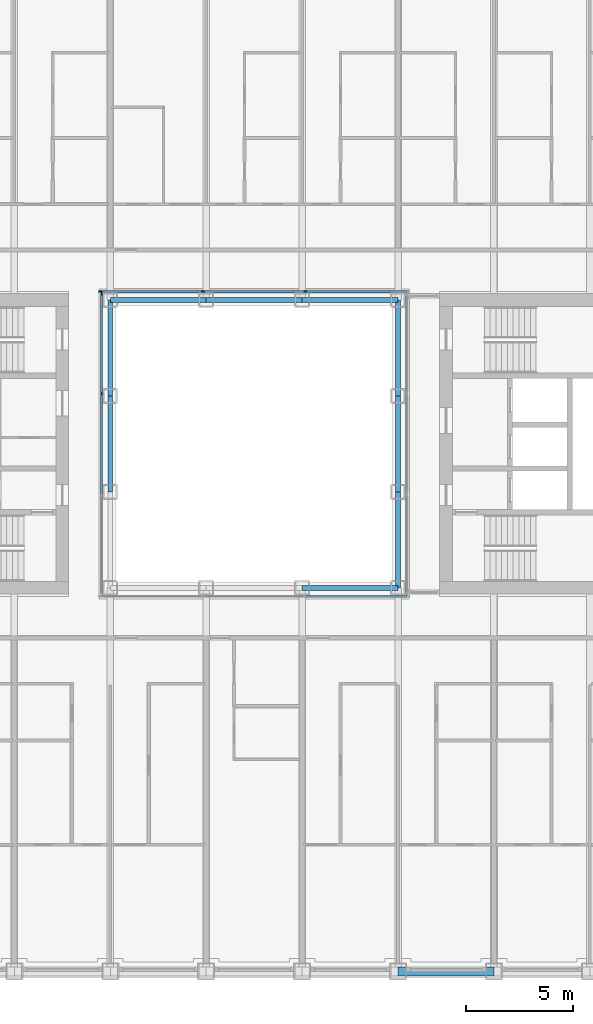
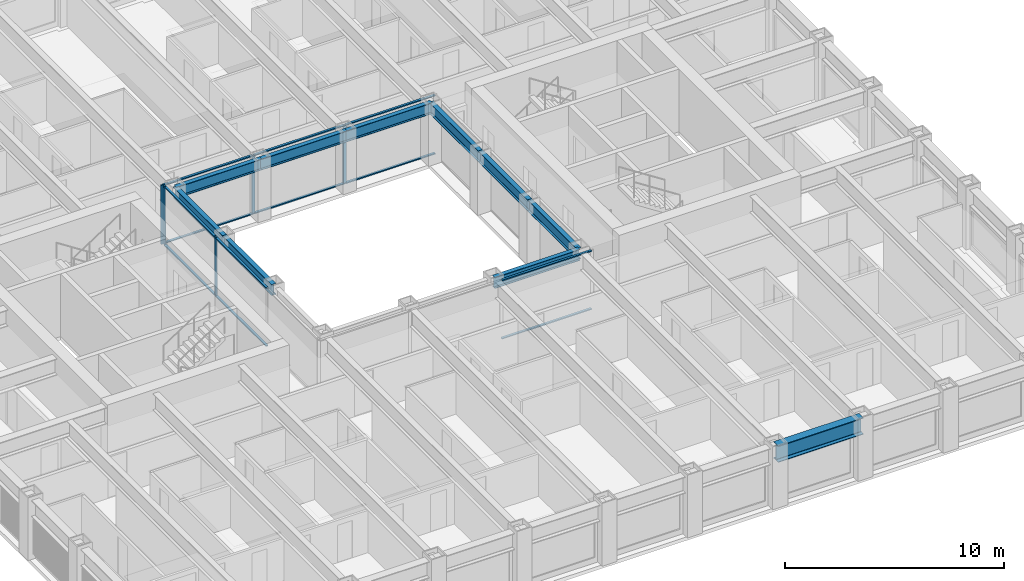
# One storey, part 4 of 21: 17 members, 10 beams, 3 elements without a shape of their own.
"""IFC4 building model written with IfcOpenShell, lengths in metres."""

from ifc_helpers import new_model, si_unit, direction, frame, origin, origin_2d, place, context, subcontext, project, spatial, rectangle, i_section, extrude, material, material_profile, profile_set, type_object, element, aggregate, save


model = new_model("IFC4")

# Units and contexts
model_context = context("Model", 3, precision=1e-05, world=origin(), true_north=direction((0.0, 1.0)))
body_context = subcontext(model_context, "Body", "Model", "MODEL_VIEW")
ifc_project = project(units=[si_unit("LENGTHUNIT", "METRE"), si_unit("AREAUNIT", "SQUARE_METRE"), si_unit("VOLUMEUNIT", "CUBIC_METRE"), si_unit("PLANEANGLEUNIT", "RADIAN"), si_unit("MASSUNIT", "GRAM", prefix="KILO")], contexts=[model_context])

# Site, building, storey
site_placement = place(None, origin())
site = spatial("IfcSite", under=ifc_project, at=site_placement, CompositionType="ELEMENT")
building_placement = place(site_placement, origin())
building = spatial("IfcBuilding", under=site, at=building_placement, Name="Msasa Ring Tower", CompositionType="ELEMENT")
storey_placement = place(building_placement, frame((0.0, 0.0, 68.5)))
storey = spatial("IfcBuildingStorey", under=building, at=storey_placement, Name="L17", CompositionType="ELEMENT", Elevation=68.5)

# Curtain wall, members
ifc_material_1 = material(Name="Aluminium curtain wall with clear glass", Category="aluminium")
curtain_wall_type = type_object("IfcCurtainWallType", Name="CW-W LIGHT WELL CURTAIN WALL", PredefinedType="NOTDEFINED", material=ifc_material_1)
curtain_wall_1_placement = place(storey_placement, origin())
curtain_wall_1 = element("IfcCurtainWall", 1, at=curtain_wall_1_placement, inside=storey, type_object=curtain_wall_type, Name="Light well curtain wall N L17", PredefinedType="NOTDEFINED")
ifc_material_2 = material(Name="Aluminium mullion", Category="aluminium")
ifc_material_profile_1 = material_profile(ifc_material_2, rectangle(XDim=0.06005859375, YDim=0.159912109375, at=origin_2d()), Name="AL 60x160")
ifc_profile_set_1 = profile_set([ifc_material_profile_1], Name="Aluminium mullion")
member_type_1 = type_object("IfcMemberType", Name="CW-W MULLION 60x160", PredefinedType="MULLION", material=ifc_profile_set_1)
member_1_placement = place(storey_placement, frame((-7.199951171875, 7.14990234375, 0.0), z_axis=(0.0, 0.0, 1.0), x_axis=(0.0, 1.0, 0.0)))
member_1 = element("IfcMember", 2, at=member_1_placement, type_object=member_type_1, Name="CW-W mullion 1", PredefinedType="MULLION", context=body_context, shape_type="SweptSolid", body=[
    extrude(rectangle(XDim=0.06005859375, YDim=0.159912109375, at=origin_2d()), origin(), (0.0, 0.0, 1.0), 3.300048828125),
])
member_2_placement = place(storey_placement, frame((-2.409912109375, 7.14990234375, 0.0), z_axis=(0.0, 0.0, 1.0), x_axis=(0.0, 1.0, 0.0)))
member_2 = element("IfcMember", 3, at=member_2_placement, type_object=member_type_1, Name="CW-W mullion 2", PredefinedType="MULLION", context=body_context, shape_type="SweptSolid", body=[
    extrude(rectangle(XDim=0.06005859375, YDim=0.159912109375, at=origin_2d()), origin(), (0.0, 0.0, 1.0), 3.300048828125),
])
member_3_placement = place(storey_placement, frame((2.409912109375, 7.14990234375, 0.0), z_axis=(0.0, 0.0, 1.0), x_axis=(0.0, 1.0, 0.0)))
member_3 = element("IfcMember", 4, at=member_3_placement, type_object=member_type_1, Name="CW-W mullion 3", PredefinedType="MULLION", context=body_context, shape_type="SweptSolid", body=[
    extrude(rectangle(XDim=0.06005859375, YDim=0.159912109375, at=origin_2d()), origin(), (0.0, 0.0, 1.0), 3.300048828125),
])

curtain_wall_2_placement = place(storey_placement, origin())
curtain_wall_2 = element("IfcCurtainWall", 5, at=curtain_wall_2_placement, inside=storey, type_object=curtain_wall_type, Name="Light well curtain wall W L17", PredefinedType="NOTDEFINED")
member_4_placement = place(storey_placement, frame((-7.14990234375, 2.356689453125, 0.0), z_axis=(0.0, 0.0, 1.0), x_axis=(-1.0, 0.0, 0.0)))
member_4 = element("IfcMember", 6, at=member_4_placement, type_object=member_type_1, Name="CW-W mullion 3", PredefinedType="MULLION", context=body_context, shape_type="SweptSolid", body=[
    extrude(rectangle(XDim=0.06005859375, YDim=0.159912109375, at=origin_2d()), origin(), (0.0, 0.0, 1.0), 3.300048828125),
])
member_5_placement = place(storey_placement, frame((-7.14990234375, 7.0400390625, 0.0), z_axis=(0.0, 0.0, 1.0), x_axis=(-1.0, 0.0, 0.0)))
member_5 = element("IfcMember", 7, at=member_5_placement, type_object=member_type_1, Name="CW-W mullion 4", PredefinedType="MULLION", context=body_context, shape_type="SweptSolid", body=[
    extrude(rectangle(XDim=0.06005859375, YDim=0.159912109375, at=origin_2d()), origin(), (0.0, 0.0, 1.0), 3.300048828125),
])

# Member
ifc_material_3 = material(Name="Aluminium transom", Category="aluminium")
ifc_material_profile_2 = material_profile(ifc_material_3, rectangle(XDim=0.1201171875, YDim=0.06005859375, at=origin_2d()), Name="AL 60x120")
ifc_profile_set_2 = profile_set([ifc_material_profile_2], Name="Aluminium transom")
member_type_2 = type_object("IfcMemberType", Name="CW-W TRANSOM 60x120", PredefinedType="USERDEFINED", material=ifc_profile_set_2)
member_6_placement = place(storey_placement, frame((-7.169921875, 7.14990234375, 0.030029296875), z_axis=(1.0, 0.0, 0.0), x_axis=(0.0, 1.0, 0.0)))
member_6 = element("IfcMember", 8, at=member_6_placement, type_object=member_type_2, Name="CW-W transom 1.1", ObjectType="TRANSOM", PredefinedType="USERDEFINED", context=body_context, shape_type="SweptSolid", body=[
    extrude(rectangle(XDim=0.1201171875, YDim=0.06005859375, at=origin_2d()), origin(), (0.0, 0.0, 1.0), 4.72998046875),
])

member_7_placement = place(storey_placement, frame((-7.169921875, 7.14990234375, 3.27001953125), z_axis=(1.0, 0.0, 0.0), x_axis=(0.0, 1.0, 0.0)))
member_7 = element("IfcMember", 9, at=member_7_placement, type_object=member_type_2, Name="CW-W transom 1.2", ObjectType="TRANSOM", PredefinedType="USERDEFINED", context=body_context, shape_type="SweptSolid", body=[
    extrude(rectangle(XDim=0.1201171875, YDim=0.06005859375, at=origin_2d()), origin(), (0.0, 0.0, 1.0), 4.72998046875),
])

member_8_placement = place(storey_placement, frame((-2.3798828125, 7.14990234375, 0.030029296875), z_axis=(1.0, 0.0, 0.0), x_axis=(0.0, 1.0, 0.0)))
member_8 = element("IfcMember", 10, at=member_8_placement, type_object=member_type_2, Name="CW-W transom 2.1", ObjectType="TRANSOM", PredefinedType="USERDEFINED", context=body_context, shape_type="SweptSolid", body=[
    extrude(rectangle(XDim=0.1201171875, YDim=0.06005859375, at=origin_2d()), origin(), (0.0, 0.0, 1.0), 4.759765625),
])

member_9_placement = place(storey_placement, frame((-2.3798828125, 7.14990234375, 3.27001953125), z_axis=(1.0, 0.0, 0.0), x_axis=(0.0, 1.0, 0.0)))
member_9 = element("IfcMember", 11, at=member_9_placement, type_object=member_type_2, Name="CW-W transom 2.2", ObjectType="TRANSOM", PredefinedType="USERDEFINED", context=body_context, shape_type="SweptSolid", body=[
    extrude(rectangle(XDim=0.1201171875, YDim=0.06005859375, at=origin_2d()), origin(), (0.0, 0.0, 1.0), 4.759765625),
])

member_10_placement = place(storey_placement, frame((2.43994140625, 7.14990234375, 0.030029296875), z_axis=(1.0, 0.0, 0.0), x_axis=(0.0, 1.0, 0.0)))
member_10 = element("IfcMember", 12, at=member_10_placement, type_object=member_type_2, Name="CW-W transom 3.1", ObjectType="TRANSOM", PredefinedType="USERDEFINED", context=body_context, shape_type="SweptSolid", body=[
    extrude(rectangle(XDim=0.1201171875, YDim=0.06005859375, at=origin_2d()), origin(), (0.0, 0.0, 1.0), 4.72998046875),
])

member_11_placement = place(storey_placement, frame((2.43994140625, 7.14990234375, 3.27001953125), z_axis=(1.0, 0.0, 0.0), x_axis=(0.0, 1.0, 0.0)))
member_11 = element("IfcMember", 13, at=member_11_placement, type_object=member_type_2, Name="CW-W transom 3.2", ObjectType="TRANSOM", PredefinedType="USERDEFINED", context=body_context, shape_type="SweptSolid", body=[
    extrude(rectangle(XDim=0.1201171875, YDim=0.06005859375, at=origin_2d()), origin(), (0.0, 0.0, 1.0), 4.72998046875),
])

aggregate(curtain_wall_1, [member_1, member_2, member_3, member_6, member_7, member_8, member_9, member_10, member_11])

# Curtain wall, members
curtain_wall_3_placement = place(storey_placement, origin())
curtain_wall_3 = element("IfcCurtainWall", 14, at=curtain_wall_3_placement, inside=storey, type_object=curtain_wall_type, Name="Light well curtain wall S L17", PredefinedType="NOTDEFINED")
member_12_placement = place(storey_placement, frame((2.43994140625, -7.14990234375, 0.030029296875), z_axis=(1.0, 0.0, 0.0), x_axis=(0.0, 1.0, 0.0)))
member_12 = element("IfcMember", 15, at=member_12_placement, type_object=member_type_2, Name="CW-W transom 3.1", ObjectType="TRANSOM", PredefinedType="USERDEFINED", context=body_context, shape_type="SweptSolid", body=[
    extrude(rectangle(XDim=0.1201171875, YDim=0.06005859375, at=origin_2d()), origin(), (0.0, 0.0, 1.0), 4.72998046875),
])
member_13_placement = place(storey_placement, frame((2.43994140625, -7.14990234375, 3.27001953125), z_axis=(1.0, 0.0, 0.0), x_axis=(0.0, 1.0, 0.0)))
member_13 = element("IfcMember", 16, at=member_13_placement, type_object=member_type_2, Name="CW-W transom 3.2", ObjectType="TRANSOM", PredefinedType="USERDEFINED", context=body_context, shape_type="SweptSolid", body=[
    extrude(rectangle(XDim=0.1201171875, YDim=0.06005859375, at=origin_2d()), origin(), (0.0, 0.0, 1.0), 4.72998046875),
])
aggregate(curtain_wall_3, [member_12, member_13])

# Member
member_14_placement = place(storey_placement, frame((-7.14990234375, -2.32666015625, 0.030029296875), z_axis=(0.0, 1.0, 0.0), x_axis=(-1.0, 0.0, 0.0)))
member_14 = element("IfcMember", 17, at=member_14_placement, type_object=member_type_2, Name="CW-W transom 2.1", ObjectType="TRANSOM", PredefinedType="USERDEFINED", context=body_context, shape_type="SweptSolid", body=[
    extrude(rectangle(XDim=0.1201171875, YDim=0.06005859375, at=origin_2d()), origin(), (0.0, 0.0, 1.0), 4.6533203125),
])

member_15_placement = place(storey_placement, frame((-7.14990234375, -2.32666015625, 3.27001953125), z_axis=(0.0, 1.0, 0.0), x_axis=(-1.0, 0.0, 0.0)))
member_15 = element("IfcMember", 18, at=member_15_placement, type_object=member_type_2, Name="CW-W transom 2.2", ObjectType="TRANSOM", PredefinedType="USERDEFINED", context=body_context, shape_type="SweptSolid", body=[
    extrude(rectangle(XDim=0.1201171875, YDim=0.06005859375, at=origin_2d()), origin(), (0.0, 0.0, 1.0), 4.6533203125),
])

member_16_placement = place(storey_placement, frame((-7.14990234375, 2.38671875, 0.030029296875), z_axis=(0.0, 1.0, 0.0), x_axis=(-1.0, 0.0, 0.0)))
member_16 = element("IfcMember", 19, at=member_16_placement, type_object=member_type_2, Name="CW-W transom 3.1", ObjectType="TRANSOM", PredefinedType="USERDEFINED", context=body_context, shape_type="SweptSolid", body=[
    extrude(rectangle(XDim=0.1201171875, YDim=0.06005859375, at=origin_2d()), origin(), (0.0, 0.0, 1.0), 4.623291015625),
])

member_17_placement = place(storey_placement, frame((-7.14990234375, 2.38671875, 3.27001953125), z_axis=(0.0, 1.0, 0.0), x_axis=(-1.0, 0.0, 0.0)))
member_17 = element("IfcMember", 20, at=member_17_placement, type_object=member_type_2, Name="CW-W transom 3.2", ObjectType="TRANSOM", PredefinedType="USERDEFINED", context=body_context, shape_type="SweptSolid", body=[
    extrude(rectangle(XDim=0.1201171875, YDim=0.06005859375, at=origin_2d()), origin(), (0.0, 0.0, 1.0), 4.623291015625),
])

aggregate(curtain_wall_2, [member_4, member_5, member_14, member_15, member_16, member_17])

# Beams
ifc_material_4 = material(Name="Steel S355", Category="steel")
ifc_material_profile_3 = material_profile(ifc_material_4, i_section(OverallWidth=0.230224609375, OverallDepth=0.6171875, WebThickness=0.01318359375, FlangeThickness=0.022216796875, FilletRadius=0.0126953125, at=origin_2d()), Name="UB 610x229x140")
ifc_profile_set_3 = profile_set([ifc_material_profile_3], Name="Steel S355")
beam_type_1 = type_object("IfcBeamType", Name="RB1 UB 610x229x140", PredefinedType="BEAM", material=ifc_profile_set_3)
for number, where, z_axis, x_axis, name in (
    (21, (2.25, -6.75, 2.991455078125), (1.0, 0.0, 0.0), (0.0, 1.0, 0.0), "Inner ring beam IR+2.25-6.75 under L18"),
    (22, (6.75, -6.75, 2.991455078125), (0.0, 1.0, 0.0), (-1.0, 0.0, 0.0), "Inner ring beam IR+6.75-6.75 under L18"),
    (23, (6.75, -2.25, 2.991455078125), (0.0, 1.0, 0.0), (-1.0, 0.0, 0.0), "Inner ring beam IR+6.75-2.25 under L18"),
    (24, (6.75, 2.25, 2.991455078125), (0.0, 1.0, 0.0), (-1.0, 0.0, 0.0), "Inner ring beam IR+6.75+2.25 under L18"),
    (25, (6.75, 6.75, 2.991455078125), (-1.0, 0.0, 0.0), (0.0, -1.0, 0.0), "Inner ring beam IR+6.75+6.75 under L18"),
    (26, (2.25, 6.75, 2.991455078125), (-1.0, 0.0, 0.0), (0.0, -1.0, 0.0), "Inner ring beam IR+2.25+6.75 under L18"),
    (27, (-2.25, 6.75, 2.991455078125), (-1.0, 0.0, 0.0), (0.0, -1.0, 0.0), "Inner ring beam IR-2.25+6.75 under L18"),
    (28, (-6.75, 6.75, 2.991455078125), (0.0, -1.0, 0.0), (1.0, 0.0, 0.0), "Inner ring beam IR-6.75+6.75 under L18"),
    (29, (-6.75, 2.25, 2.991455078125), (0.0, -1.0, 0.0), (1.0, 0.0, 0.0), "Inner ring beam IR-6.75+2.25 under L18"),
):
    element("IfcBeam", number, at=place(storey_placement, frame(where, z_axis=z_axis, x_axis=x_axis)), inside=storey, type_object=beam_type_1, Name=name, PredefinedType="BEAM", context=body_context, shape_type="SweptSolid", body=[
        extrude(i_section(OverallWidth=0.230224609375, OverallDepth=0.6171875, WebThickness=0.01318359375, FlangeThickness=0.022216796875, FilletRadius=0.0126953125, at=origin_2d()), origin(), (0.0, 0.0, 1.0), 4.5),
    ])
ifc_material_5 = material(Name="Steel S355", Category="steel")
ifc_material_profile_4 = material_profile(ifc_material_5, i_section(OverallWidth=0.42041015625, OverallDepth=0.9208984375, WebThickness=0.021484375, FlangeThickness=0.03662109375, FilletRadius=0.024169921875, at=origin_2d()), Name="UB 914x419x388")
ifc_profile_set_4 = profile_set([ifc_material_profile_4], Name="Steel S355")
beam_type_2 = type_object("IfcBeamType", Name="SB1 UB 914x419x388", PredefinedType="SPANDREL", material=ifc_profile_set_4)
beam_placement = place(storey_placement, frame((6.75, -24.75, 2.839599609375), z_axis=(1.0, 0.0, 0.0), x_axis=(0.0, 1.0, 0.0)))
element("IfcBeam", 30, at=beam_placement, inside=storey, type_object=beam_type_2, Name="Spandrel S+6.75 to S+11.25 under L18", PredefinedType="SPANDREL", context=body_context, shape_type="SweptSolid", body=[
    extrude(i_section(OverallWidth=0.42041015625, OverallDepth=0.9208984375, WebThickness=0.021484375, FlangeThickness=0.03662109375, FilletRadius=0.024169921875, at=origin_2d()), origin(), (0.0, 0.0, 1.0), 4.5),
])

save(model, "model.ifc")
